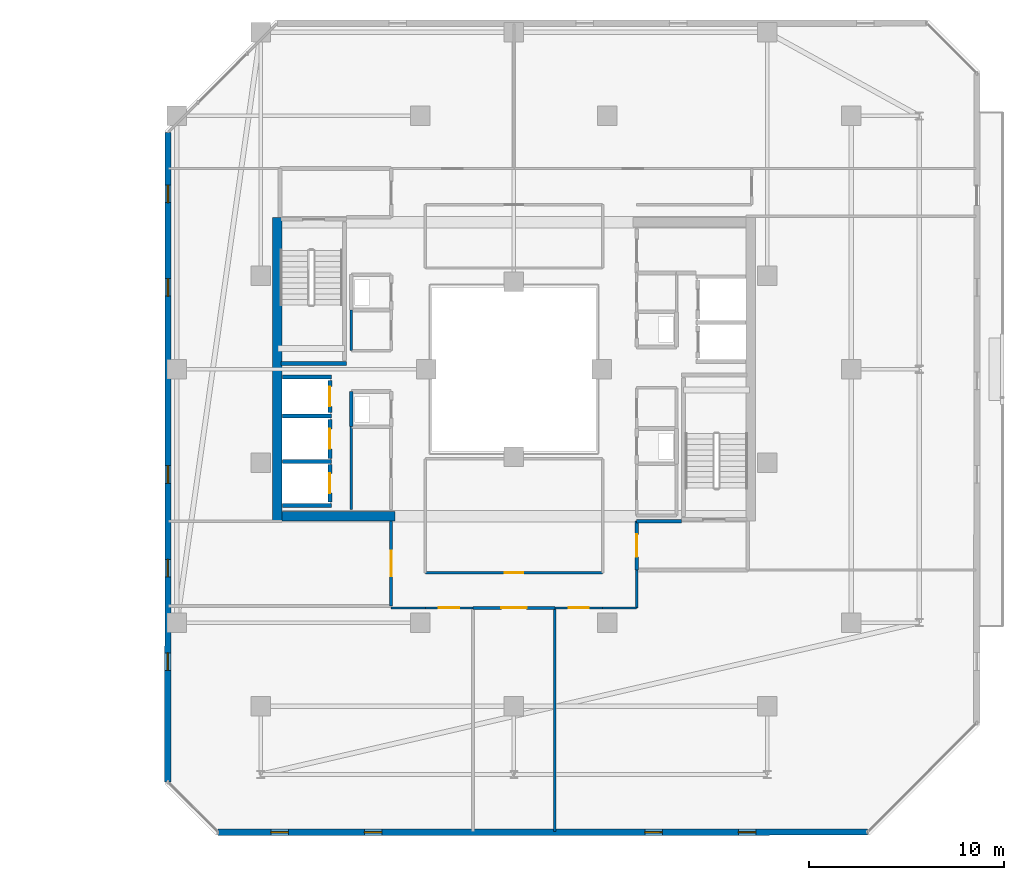
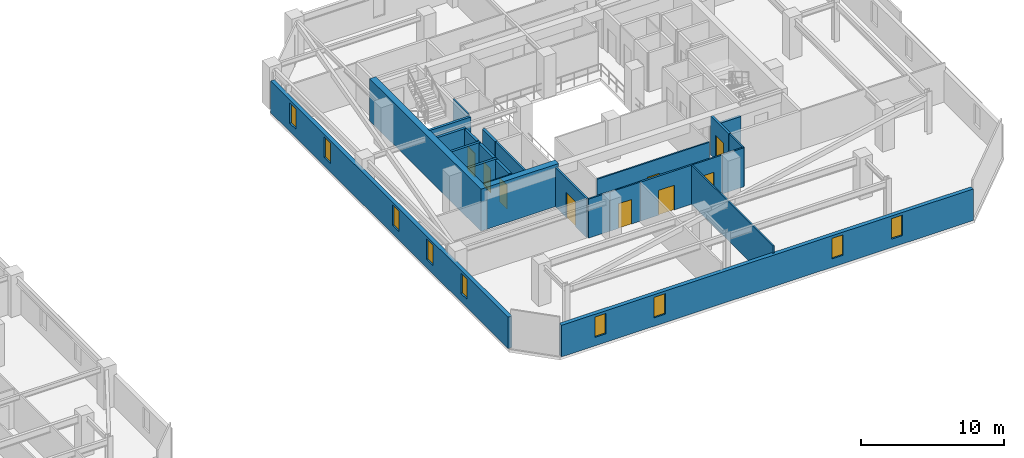
# One storey, part 22 of 31: 26 walls, 9 doors, 9 windows, 18 openings.
"""IFC4 building model written with IfcOpenShell, lengths in metres."""

import ifcopenshell
import ifcopenshell.guid

model = None  # the IFC model being written
_history = None  # IfcOwnerHistory: only IFC2X3 demands one
_inside = {}  # id of a spatial element -> (the spatial element, [elements in it])
_under = {}  # id of a project, library or spatial element -> (it, [spatial elements below it])
_declared = {}  # id of a project -> (the project, [libraries it declares])
_typed = {}  # id of a type object -> (the type object, [elements of that type])
_made_of = {}  # id of a material, layer set ... -> (it, [elements and type objects made of it])


def new_model(schema):
    """Start an empty IFC model of exactly this schema.

    Asked for "IFC4X3", IfcOpenShell would pick the latest addendum, in which some entities
    have other attributes; the version numbers below select the first issue.
    IFC2X3 requires an IfcOwnerHistory on every rooted entity: one is made here for all.
    """
    global model, _history
    if schema == "IFC4X3":
        model = ifcopenshell.file(schema_version=(4, 3, 0, 0))
    else:
        model = ifcopenshell.file(schema=schema)
    _inside.clear()
    _under.clear()
    _declared.clear()
    _typed.clear()
    _made_of.clear()
    _history = None
    if model.schema == "IFC2X3":
        org = make("IfcOrganization", Name="unknown")
        user = make(
            "IfcPersonAndOrganization",
            ThePerson=make("IfcPerson", FamilyName="unknown"),
            TheOrganization=org,
        )
        app = make(
            "IfcApplication",
            ApplicationDeveloper=org,
            Version="unknown",
            ApplicationFullName="unknown",
            ApplicationIdentifier="unknown",
        )
        _history = make(
            "IfcOwnerHistory",
            OwningUser=user,
            OwningApplication=app,
            ChangeAction="ADDED",
            CreationDate=0,
        )
    return model


def make(cls, **values):
    """One entity of the class cls with the attributes given. An attribute that is None is left unset."""
    return model.create_entity(
        cls, **{name: value for name, value in values.items() if value is not None}
    )


def rooted(cls, **values):
    """An entity with a GlobalId (a new one), such as an element, a storey or a relation."""
    return make(cls, GlobalId=ifcopenshell.guid.new(), OwnerHistory=_history, **values)


def si_unit(unit_type, name, prefix=None):
    """IfcSIUnit, for example si_unit("LENGTHUNIT", "METRE", prefix="MILLI")."""
    return make("IfcSIUnit", UnitType=unit_type, Prefix=prefix, Name=name)


def assignment(units):
    """IfcUnitAssignment: the units of a project."""
    return None if units is None else make("IfcUnitAssignment", Units=units)


def point(xyz):
    """IfcCartesianPoint."""
    return None if xyz is None else make("IfcCartesianPoint", Coordinates=xyz)


def direction(xyz):
    """IfcDirection."""
    return None if xyz is None else make("IfcDirection", DirectionRatios=xyz)


def frame(location, z_axis=None, x_axis=None):
    """IfcAxis2Placement3D, a coordinate frame: its origin and axes. An axis left out is left unset."""
    return make(
        "IfcAxis2Placement3D",
        Location=point(location),
        Axis=direction(z_axis),
        RefDirection=direction(x_axis),
    )


def frame_2d(location, x_axis=None):
    """IfcAxis2Placement2D, a coordinate frame in the plane: its origin and x axis."""
    return make(
        "IfcAxis2Placement2D", Location=point(location), RefDirection=direction(x_axis)
    )


def origin():
    """The frame at (0, 0, 0) with its axes left unset."""
    return frame((0.0, 0.0, 0.0))


def place(relative_to, where):
    """IfcLocalPlacement: puts the frame where relative to a parent placement (None: the world)."""
    return make(
        "IfcLocalPlacement", PlacementRelTo=relative_to, RelativePlacement=where
    )


def context(
    kind, dimensions, precision=None, world=None, true_north=None, identifier=None
):
    """IfcGeometricRepresentationContext, for example the 3D "Model" context."""
    return make(
        "IfcGeometricRepresentationContext",
        ContextIdentifier=identifier,
        ContextType=kind,
        CoordinateSpaceDimension=dimensions,
        Precision=precision,
        WorldCoordinateSystem=world,
        TrueNorth=true_north,
    )


def subcontext(parent, identifier, kind, view, scale=None):
    """IfcGeometricRepresentationSubContext, for example "Body" below "Model"."""
    return make(
        "IfcGeometricRepresentationSubContext",
        ContextIdentifier=identifier,
        ContextType=kind,
        ParentContext=parent,
        TargetScale=scale,
        TargetView=view,
    )


def project(units=None, contexts=None):
    """IfcProject with its units and contexts."""
    return rooted(
        "IfcProject",
        Name="project",
        RepresentationContexts=contexts,
        UnitsInContext=assignment(units),
    )


def spatial(cls, under=None, at=None, **own):
    """A site, building, storey or space (cls), placed at a placement, below another one or the project."""
    s = rooted(cls, ObjectPlacement=at, **own)
    if under is not None:
        _under.setdefault(under.id(), (under, []))[1].append(s)
    return s


def profile(cls, at=None, kind="AREA", **sizes):
    """A parametric profile (cls). Its sizes go by their IFC names, for example OverallWidth=200.0."""
    return make(cls, ProfileType=kind, Position=at, **sizes)


def rectangle(**sizes):
    """IfcRectangleProfileDef."""
    return profile("IfcRectangleProfileDef", **sizes)


def extrude(swept, where, along, depth):
    """IfcExtrudedAreaSolid: the profile swept, set in the frame where, extruded along a direction by depth."""
    return make(
        "IfcExtrudedAreaSolid",
        SweptArea=swept,
        Position=where,
        ExtrudedDirection=direction(along),
        Depth=depth,
    )


def shape(context_of_items, identifier, shape_type, items):
    """IfcShapeRepresentation: the items that make up one representation, for example the "Body"."""
    return make(
        "IfcShapeRepresentation",
        ContextOfItems=context_of_items,
        RepresentationIdentifier=identifier,
        RepresentationType=shape_type,
        Items=items,
    )


def material(Name=None, Category=None):
    """IfcMaterial."""
    return make("IfcMaterial", Name=Name, Category=Category)


def layer(
    of_material, thickness, ventilated=None, Name=None, Category=None, Priority=None
):
    """IfcMaterialLayer: one layer of a wall or slab, of a material (None: an air gap)."""
    return make(
        "IfcMaterialLayer",
        Material=of_material,
        LayerThickness=thickness,
        IsVentilated=ventilated,
        Name=Name,
        Category=Category,
        Priority=Priority,
    )


def layer_set(layers, Name=None):
    """IfcMaterialLayerSet."""
    return make("IfcMaterialLayerSet", MaterialLayers=layers, LayerSetName=Name)


def made_of(thing, what):
    """Note that an element or type object is made of a material, layer set ...; save() writes the relation."""
    if what is not None:
        _made_of.setdefault(what.id(), (what, []))[1].append(thing)
    return thing


def type_object(cls, material=None, **own):
    """A type object (cls), such as IfcWallType, which elements share."""
    return made_of(rooted(cls, **own), material)


def element(
    cls,
    number,
    at=None,
    inside=None,
    cuts=None,
    type_object=None,
    material=None,
    context=None,
    identifier="Body",
    shape_type=None,
    held_by="IfcProductDefinitionShape",
    body=None,
    shapes=None,
    **own,
):
    """One element of the class cls, such as IfcWall. Its Tag is "e" and its number.

    at: its placement. inside: the storey or other place that contains it. cuts: it is an
    opening in that element (IfcRelVoidsElement). A single representation is given by context,
    identifier, shape_type and body (its items); several are given by shapes. held_by: the class
    of the entity that holds the representations. save() writes the other relations.
    """
    e = rooted(cls, Tag="e%d" % number, ObjectPlacement=at, **own)
    if body is not None:
        shapes = [shape(context, identifier, shape_type, body)]
    if shapes is not None:
        e.Representation = make(held_by, Representations=shapes)
    if inside is not None:
        _inside.setdefault(inside.id(), (inside, []))[1].append(e)
    if cuts is not None:
        rooted(
            "IfcRelVoidsElement", RelatingBuildingElement=cuts, RelatedOpeningElement=e
        )
    if type_object is not None:
        _typed.setdefault(type_object.id(), (type_object, []))[1].append(e)
    return made_of(e, material)


def fill(opening, filler):
    """IfcRelFillsElement: the door or window that sits in an opening."""
    return rooted(
        "IfcRelFillsElement",
        RelatingOpeningElement=opening,
        RelatedBuildingElement=filler,
    )


def aggregate(whole, parts):
    """IfcRelAggregates: a whole, such as a stair, and the parts it consists of."""
    return rooted("IfcRelAggregates", RelatingObject=whole, RelatedObjects=parts)


def save(model, path):
    """Write the relations noted so far, then the file.

    IfcRelAggregates (storeys below a building ...), IfcRelContainedInSpatialStructure (elements
    in a storey), IfcRelDefinesByType, IfcRelAssociatesMaterial and IfcRelDeclares: one each for
    every whole, place, type object, material and project.
    """
    for whole, parts in _under.values():
        aggregate(whole, parts)
    for where, things in _inside.values():
        rooted(
            "IfcRelContainedInSpatialStructure",
            RelatedElements=things,
            RelatingStructure=where,
        )
    for kind, things in _typed.values():
        rooted("IfcRelDefinesByType", RelatedObjects=things, RelatingType=kind)
    for what, things in _made_of.values():
        rooted("IfcRelAssociatesMaterial", RelatedObjects=things, RelatingMaterial=what)
    for by, libraries in _declared.values():
        rooted("IfcRelDeclares", RelatingContext=by, RelatedDefinitions=libraries)
    model.write(path)


model = new_model("IFC4")

# Units and contexts
model_context = context("Model", 3, precision=1e-05, world=origin(), true_north=direction((0.0, 1.0)))
body_context = subcontext(model_context, "Body", "Model", "MODEL_VIEW")
ifc_project = project(units=[si_unit("LENGTHUNIT", "METRE"), si_unit("AREAUNIT", "SQUARE_METRE"), si_unit("VOLUMEUNIT", "CUBIC_METRE"), si_unit("PLANEANGLEUNIT", "RADIAN"), si_unit("MASSUNIT", "GRAM", prefix="KILO")], contexts=[model_context])

# Site, building, storey
site_placement = place(None, origin())
site = spatial("IfcSite", under=ifc_project, at=site_placement, CompositionType="ELEMENT")
building_placement = place(site_placement, origin())
building = spatial("IfcBuilding", under=site, at=building_placement, Name="Thornwick Lancets Civic Towers", CompositionType="ELEMENT")
storey_placement = place(building_placement, frame((0.0, 0.0, 236.699951171875)))
storey = spatial("IfcBuildingStorey", under=building, at=storey_placement, Name="L63", CompositionType="ELEMENT", Elevation=236.699951171875)

# Wall, opening, door
ifc_material_1 = material(Name="Concrete blockwork C40/50", Category="masonry")
ifc_layer_1 = layer(ifc_material_1, 0.199951171875, Name="Concrete blockwork C40/50")
ifc_layer_set_1 = layer_set([ifc_layer_1], Name="Concrete blockwork C40/50")
wall_type_1 = type_object("IfcWallType", Name="WALL_COMP_200", PredefinedType="STANDARD", material=ifc_layer_set_1)
wall_1_placement = place(storey_placement, frame((79.050048828125, 24.780029296875, 0.0), z_axis=(0.0, 0.0, 1.0), x_axis=(0.0, 1.0, 0.0)))
wall_1 = element("IfcWall", 1, at=wall_1_placement, inside=storey, type_object=wall_type_1, Name="L63 Hoistway Front Wall FL-B2", PredefinedType="STANDARD", context=body_context, shape_type="SweptSolid", body=[
    extrude(rectangle(XDim=1.639892578125, YDim=0.199951171875, at=frame_2d((0.81982421875, 0.0))), origin(), (0.0, 0.0, 1.0), 3.340087890625),
])
opening_1_placement = place(wall_1_placement, frame((0.31005859375, 0.0, 0.0)))
opening_1 = element("IfcOpeningElement", 2, at=opening_1_placement, cuts=wall_1, Name="Opening LD-FL-B2", PredefinedType="OPENING", context=body_context, shape_type="SweptSolid", body=[
    extrude(rectangle(XDim=1.02001953125, YDim=2.06005859375, at=frame_2d((0.510009765625, 1.030029296875))), frame((0.0, 0.10986328125, 0.0), z_axis=(0.0, -1.0, 0.0), x_axis=(1.0, 0.0, 0.0)), (0.0, 0.0, 1.0), 0.219970703125),
])
ifc_material_2 = material(Name="Brushed bronze stainless steel", Category="steel")
door_type_1 = type_object("IfcDoorType", Name="DOOR_LIFT_SLIDE", OperationType="SLIDING_TO_LEFT", PredefinedType="DOOR", material=ifc_material_2)
door_1_placement = place(opening_1_placement, origin())
door_1 = element("IfcDoor", 3, at=door_1_placement, inside=storey, type_object=door_type_1, Name="L63 Sliding Lift Landing Door LD-FL-B2", OperationType="SLIDING_TO_LEFT", OverallHeight=2.06005859375, OverallWidth=1.02001953125, PredefinedType="DOOR", context=body_context, shape_type="SweptSolid", body=[
    extrude(rectangle(XDim=1.02001953125, YDim=2.06005859375, at=frame_2d((0.510009765625, 1.030029296875))), frame((0.0, 0.02490234375, 0.0), z_axis=(0.0, -1.0, 0.0), x_axis=(1.0, 0.0, 0.0)), (0.0, 0.0, 1.0), 0.050048828125),
])
fill(opening_1, door_1)

wall_2_placement = place(storey_placement, frame((79.050048828125, 22.429931640625, 0.0), z_axis=(0.0, 0.0, 1.0), x_axis=(0.0, 1.0, 0.0)))
wall_2 = element("IfcWall", 4, at=wall_2_placement, inside=storey, type_object=wall_type_1, Name="L63 Hoistway Front Wall PL-BH2", PredefinedType="STANDARD", context=body_context, shape_type="SweptSolid", body=[
    extrude(rectangle(XDim=1.989990234375, YDim=0.199951171875, at=frame_2d((0.9951171875, 0.0))), origin(), (0.0, 0.0, 1.0), 3.340087890625),
])
opening_2_placement = place(wall_2_placement, frame((0.485107421875, 0.0, 0.0)))
opening_2 = element("IfcOpeningElement", 5, at=opening_2_placement, cuts=wall_2, Name="Opening LD-PL-BH2", PredefinedType="OPENING", context=body_context, shape_type="SweptSolid", body=[
    extrude(rectangle(XDim=1.02001953125, YDim=2.06005859375, at=frame_2d((0.510009765625, 1.030029296875))), frame((0.0, 0.10986328125, 0.0), z_axis=(0.0, -1.0, 0.0), x_axis=(1.0, 0.0, 0.0)), (0.0, 0.0, 1.0), 0.219970703125),
])
door_2_placement = place(opening_2_placement, origin())
door_2 = element("IfcDoor", 6, at=door_2_placement, inside=storey, type_object=door_type_1, Name="L63 Sliding Lift Landing Door LD-PL-BH2", OperationType="SLIDING_TO_LEFT", OverallHeight=2.06005859375, OverallWidth=1.02001953125, PredefinedType="DOOR", context=body_context, shape_type="SweptSolid", body=[
    extrude(rectangle(XDim=1.02001953125, YDim=2.06005859375, at=frame_2d((0.510009765625, 1.030029296875))), frame((0.0, 0.02490234375, 0.0), z_axis=(0.0, -1.0, 0.0), x_axis=(1.0, 0.0, 0.0)), (0.0, 0.0, 1.0), 0.050048828125),
])
fill(opening_2, door_2)

wall_3_placement = place(storey_placement, frame((79.050048828125, 20.179931640625, 0.0), z_axis=(0.0, 0.0, 1.0), x_axis=(0.0, 1.0, 0.0)))
wall_3 = element("IfcWall", 7, at=wall_3_placement, inside=storey, type_object=wall_type_1, Name="L63 Hoistway Front Wall PL-BH3", PredefinedType="STANDARD", context=body_context, shape_type="SweptSolid", body=[
    extrude(rectangle(XDim=1.940185546875, YDim=0.199951171875, at=frame_2d((0.97021484375, 0.0))), origin(), (0.0, 0.0, 1.0), 3.340087890625),
])
opening_3_placement = place(wall_3_placement, frame((0.4599609375, 0.0, 0.0)))
opening_3 = element("IfcOpeningElement", 8, at=opening_3_placement, cuts=wall_3, Name="Opening LD-PL-BH3", PredefinedType="OPENING", context=body_context, shape_type="SweptSolid", body=[
    extrude(rectangle(XDim=1.02001953125, YDim=2.06005859375, at=frame_2d((0.510009765625, 1.030029296875))), frame((0.0, 0.10986328125, 0.0), z_axis=(0.0, -1.0, 0.0), x_axis=(1.0, 0.0, 0.0)), (0.0, 0.0, 1.0), 0.219970703125),
])
door_3_placement = place(opening_3_placement, origin())
door_3 = element("IfcDoor", 9, at=door_3_placement, inside=storey, type_object=door_type_1, Name="L63 Sliding Lift Landing Door LD-PL-BH3", OperationType="SLIDING_TO_LEFT", OverallHeight=2.06005859375, OverallWidth=1.02001953125, PredefinedType="DOOR", context=body_context, shape_type="SweptSolid", body=[
    extrude(rectangle(XDim=1.02001953125, YDim=2.06005859375, at=frame_2d((0.510009765625, 1.030029296875))), frame((0.0, 0.02490234375, 0.0), z_axis=(0.0, -1.0, 0.0), x_axis=(1.0, 0.0, 0.0)), (0.0, 0.0, 1.0), 0.050048828125),
])
fill(opening_3, door_3)

# Walls
for number, where, z_axis, x_axis, name in (
    (10, (76.612060546875, 26.60009765625, 0.0), (0.0, 0.0, 1.0), (1.0, 0.0, 0.0), "L63 Hoistway Shaft Wall FL-B2 N"),
    (11, (76.612060546875, 24.60009765625, 0.0), (0.0, 0.0, 1.0), (1.0, 0.0, 0.0), "L63 Hoistway Shaft Wall FL-B2 S"),
    (12, (76.612060546875, 22.27490234375, 0.0), (0.0, 0.0, 1.0), (1.0, 0.0, 0.0), "L63 Hoistway Shaft Wall PL-BH2 S"),
    (13, (76.612060546875, 20.0, 0.0), (0.0, 0.0, 1.0), (1.0, 0.0, 0.0), "L63 Hoistway Shaft Wall PL-BH3 S"),
):
    element("IfcWall", number, at=place(storey_placement, frame(where, z_axis=z_axis, x_axis=x_axis)), inside=storey, type_object=wall_type_1, Name=name, PredefinedType="STANDARD", context=body_context, shape_type="SweptSolid", body=[
        extrude(rectangle(XDim=2.535888671875, YDim=0.199951171875, at=frame_2d((1.26806640625, 0.0))), origin(), (0.0, 0.0, 1.0), 3.340087890625),
    ])
wall_4_placement = place(storey_placement, frame((97.10009765625, 19.199951171875, 0.0), z_axis=(0.0, 0.0, 1.0), x_axis=(-1.0, 0.0, 0.0)))
element("IfcWall", 14, at=wall_4_placement, inside=storey, type_object=wall_type_1, Name="L63 Partition L63-B-FFLOB1 E3", PredefinedType="STANDARD", context=body_context, shape_type="SweptSolid", body=[
    extrude(rectangle(XDim=2.300048828125, YDim=0.199951171875, at=frame_2d((1.14990234375, 0.0))), origin(), (0.0, 0.0, 1.0), 2.545166015625),
])

# Wall, opening, door
wall_5_placement = place(storey_placement, frame((94.800048828125, 19.199951171875, 0.0), z_axis=(0.0, 0.0, 1.0), x_axis=(0.0, -1.0, 0.0)))
wall_5 = element("IfcWall", 15, at=wall_5_placement, inside=storey, type_object=wall_type_1, Name="L63 Partition L63-B-FFLOB1 E4", PredefinedType="STANDARD", context=body_context, shape_type="SweptSolid", body=[
    extrude(rectangle(XDim=2.5, YDim=0.199951171875, at=frame_2d((1.25, 0.0))), origin(), (0.0, 0.0, 1.0), 3.340087890625),
])
opening_4_placement = place(wall_5_placement, frame((0.675048828125, 0.0, 0.0)))
opening_4 = element("IfcOpeningElement", 16, at=opening_4_placement, cuts=wall_5, Name="Opening D-L63-2839", PredefinedType="OPENING", context=body_context, shape_type="SweptSolid", body=[
    extrude(rectangle(XDim=1.14990234375, YDim=2.10009765625, at=frame_2d((0.574951171875, 1.050048828125))), frame((0.0, 0.10986328125, 0.0), z_axis=(0.0, -1.0, 0.0), x_axis=(1.0, 0.0, 0.0)), (0.0, 0.0, 1.0), 0.219970703125),
])
ifc_material_3 = material(Name="Glazed fire-resisting steel", Category="steel")
door_type_2 = type_object("IfcDoorType", Name="DOOR_LOBBY_FD60", OperationType="NOTDEFINED", PredefinedType="DOOR", material=ifc_material_3)
door_4_placement = place(opening_4_placement, origin())
door_4 = element("IfcDoor", 17, at=door_4_placement, inside=storey, type_object=door_type_2, Name="L63 East Firefighting Lobby 1 Door", OperationType="SINGLE_SWING_RIGHT", OverallHeight=2.10009765625, OverallWidth=1.14990234375, PredefinedType="DOOR", context=body_context, shape_type="SweptSolid", body=[
    extrude(rectangle(XDim=1.14990234375, YDim=2.10009765625, at=frame_2d((0.574951171875, 1.050048828125))), frame((0.0, 0.02490234375, 0.0), z_axis=(0.0, -1.0, 0.0), x_axis=(1.0, 0.0, 0.0)), (0.0, 0.0, 1.0), 0.050048828125),
])
fill(opening_4, door_4)

# Walls
wall_6_placement = place(storey_placement, frame((80.14990234375, 25.85009765625, 0.0), z_axis=(0.0, 0.0, 1.0), x_axis=(0.0, -1.0, 0.0)))
element("IfcWall", 18, at=wall_6_placement, inside=storey, type_object=wall_type_1, Name="L63 Partition L63-B-DUCT2 E4", PredefinedType="STANDARD", context=body_context, shape_type="SweptSolid", body=[
    extrude(rectangle(XDim=1.800048828125, YDim=0.199951171875, at=frame_2d((0.89990234375, 0.0))), origin(), (0.0, 0.0, 1.0), 3.340087890625),
])
ifc_material_4 = material(Name="Concrete C50/60", Category="concrete")
ifc_layer_2 = layer(ifc_material_4, 0.5, Name="Concrete C50/60")
ifc_layer_set_2 = layer_set([ifc_layer_2], Name="Concrete C50/60")
wall_type_2 = type_object("IfcWallType", Name="WALL_CORE_500", PredefinedType="SHEAR", material=ifc_layer_set_2)
wall_7_placement = place(storey_placement, frame((76.35009765625, 19.199951171875, 0.0), z_axis=(0.0, 0.0, 1.0), x_axis=(0.0, 1.0, 0.0)))
element("IfcWall", 19, at=wall_7_placement, inside=storey, type_object=wall_type_2, Name="L63 Split Core B2 Shear Wall W", PredefinedType="SHEAR", context=body_context, shape_type="SweptSolid", body=[
    extrude(rectangle(XDim=15.60009765625, YDim=0.5, at=frame_2d((7.800048828125, 0.0))), origin(), (0.0, 0.0, 1.0), 3.60009765625),
])
wall_8_placement = place(storey_placement, frame((76.60009765625, 19.449951171875, 0.0), z_axis=(0.0, 0.0, 1.0), x_axis=(1.0, 0.0, 0.0)))
element("IfcWall", 20, at=wall_8_placement, inside=storey, type_object=wall_type_2, Name="L63 Split Core B2 Shear Wall S", PredefinedType="SHEAR", context=body_context, shape_type="SweptSolid", body=[
    extrude(rectangle(XDim=5.7998046875, YDim=0.5, at=frame_2d((2.89990234375, 0.0))), origin(), (0.0, 0.0, 1.0), 3.60009765625),
])

# Wall, openings, windows
ifc_material_5 = material(Name="Insulated buff terracotta rainscreen on concrete C40/50", Category="masonry")
ifc_layer_3 = layer(ifc_material_5, 0.320068359375, Name="Insulated buff terracotta rainscreen on concrete C40/50")
ifc_layer_set_3 = layer_set([ifc_layer_3], Name="Insulated buff terracotta rainscreen on concrete C40/50")
wall_type_3 = type_object("IfcWallType", Name="WALL_EXT_TERRA_320", PredefinedType="STANDARD", material=ifc_layer_set_3)
wall_9_placement = place(storey_placement, frame((73.318603515625, 3.2353515625, 0.0), z_axis=(0.0, 0.0, 1.0), x_axis=(0.999999954901, 0.000300328883, 0.0)))
wall_9 = element("IfcWall", 21, at=wall_9_placement, inside=storey, type_object=wall_type_3, Name="L63 Tower B Terracotta Facade Wall E0", PredefinedType="STANDARD", context=body_context, shape_type="SweptSolid", body=[
    extrude(rectangle(XDim=33.329345703125, YDim=0.320068359375, at=frame_2d((16.66455078125, 0.0))), origin(), (0.0, 0.0, 1.0), 2.699951171875),
])
opening_5_placement = place(wall_9_placement, frame((2.699951171875, 0.0, 0.719970703125)))
opening_5 = element("IfcOpeningElement", 22, at=opening_5_placement, cuts=wall_9, Name="Opening WL-01", PredefinedType="OPENING", context=body_context, shape_type="SweptSolid", body=[
    extrude(rectangle(XDim=0.89990234375, YDim=1.75, at=frame_2d((0.449951171875, 0.875))), frame((0.0, 0.169921875, 0.0), z_axis=(0.0, -1.0, 0.0), x_axis=(1.0, 0.0, 0.0)), (0.0, 0.0, 1.0), 0.340087890625),
])
opening_6_placement = place(wall_9_placement, frame((7.5, 0.0, 0.719970703125)))
opening_6 = element("IfcOpeningElement", 23, at=opening_6_placement, cuts=wall_9, Name="Opening WL-01", PredefinedType="OPENING", context=body_context, shape_type="SweptSolid", body=[
    extrude(rectangle(XDim=0.89990234375, YDim=1.75, at=frame_2d((0.449951171875, 0.875))), frame((0.0, 0.169921875, 0.0), z_axis=(0.0, -1.0, 0.0), x_axis=(1.0, 0.0, 0.0)), (0.0, 0.0, 1.0), 0.340087890625),
])
opening_7_placement = place(wall_9_placement, frame((21.89990234375, 0.0, 0.719970703125)))
opening_7 = element("IfcOpeningElement", 24, at=opening_7_placement, cuts=wall_9, Name="Opening WL-01", PredefinedType="OPENING", context=body_context, shape_type="SweptSolid", body=[
    extrude(rectangle(XDim=0.89990234375, YDim=1.75, at=frame_2d((0.449951171875, 0.875))), frame((0.0, 0.169921875, 0.0), z_axis=(0.0, -1.0, 0.0), x_axis=(1.0, 0.0, 0.0)), (0.0, 0.0, 1.0), 0.340087890625),
])
opening_8_placement = place(wall_9_placement, frame((26.699951171875, 0.0, 0.719970703125)))
opening_8 = element("IfcOpeningElement", 25, at=opening_8_placement, cuts=wall_9, Name="Opening WL-01", PredefinedType="OPENING", context=body_context, shape_type="SweptSolid", body=[
    extrude(rectangle(XDim=0.89990234375, YDim=1.75, at=frame_2d((0.449951171875, 0.875))), frame((0.0, 0.169921875, 0.0), z_axis=(0.0, -1.0, 0.0), x_axis=(1.0, 0.0, 0.0)), (0.0, 0.0, 1.0), 0.340087890625),
])
ifc_material_6 = material(Name="Clear low-e double glazing in bronze frame", Category="glass")
window_type = type_object("IfcWindowType", Name="WIN_LANCET_900", PartitioningType="SINGLE_PANEL", PredefinedType="WINDOW", material=ifc_material_6)
window_1_placement = place(opening_5_placement, origin())
window_1 = element("IfcWindow", 26, at=window_1_placement, inside=storey, type_object=window_type, Name="L63 Tower B Staggered Lancet Window E0-1", OverallHeight=1.75, OverallWidth=0.89990234375, PartitioningType="SINGLE_PANEL", PredefinedType="WINDOW", context=body_context, shape_type="SweptSolid", body=[
    extrude(rectangle(XDim=0.89990234375, YDim=1.75, at=frame_2d((0.449951171875, 0.875))), frame((0.0, 0.030029296875, 0.0), z_axis=(0.0, -1.0, 0.0), x_axis=(1.0, 0.0, 0.0)), (0.0, 0.0, 1.0), 0.06005859375),
])
fill(opening_5, window_1)
window_2_placement = place(opening_6_placement, origin())
window_2 = element("IfcWindow", 27, at=window_2_placement, inside=storey, type_object=window_type, Name="L63 Tower B Staggered Lancet Window E0-2", OverallHeight=1.75, OverallWidth=0.89990234375, PartitioningType="SINGLE_PANEL", PredefinedType="WINDOW", context=body_context, shape_type="SweptSolid", body=[
    extrude(rectangle(XDim=0.89990234375, YDim=1.75, at=frame_2d((0.449951171875, 0.875))), frame((0.0, 0.030029296875, 0.0), z_axis=(0.0, -1.0, 0.0), x_axis=(1.0, 0.0, 0.0)), (0.0, 0.0, 1.0), 0.06005859375),
])
fill(opening_6, window_2)
window_3_placement = place(opening_7_placement, origin())
window_3 = element("IfcWindow", 28, at=window_3_placement, inside=storey, type_object=window_type, Name="L63 Tower B Staggered Lancet Window E0-3", OverallHeight=1.75, OverallWidth=0.89990234375, PartitioningType="SINGLE_PANEL", PredefinedType="WINDOW", context=body_context, shape_type="SweptSolid", body=[
    extrude(rectangle(XDim=0.89990234375, YDim=1.75, at=frame_2d((0.449951171875, 0.875))), frame((0.0, 0.030029296875, 0.0), z_axis=(0.0, -1.0, 0.0), x_axis=(1.0, 0.0, 0.0)), (0.0, 0.0, 1.0), 0.06005859375),
])
fill(opening_7, window_3)
window_4_placement = place(opening_8_placement, origin())
window_4 = element("IfcWindow", 29, at=window_4_placement, inside=storey, type_object=window_type, Name="L63 Tower B Staggered Lancet Window E0-4", OverallHeight=1.75, OverallWidth=0.89990234375, PartitioningType="SINGLE_PANEL", PredefinedType="WINDOW", context=body_context, shape_type="SweptSolid", body=[
    extrude(rectangle(XDim=0.89990234375, YDim=1.75, at=frame_2d((0.449951171875, 0.875))), frame((0.0, 0.030029296875, 0.0), z_axis=(0.0, -1.0, 0.0), x_axis=(1.0, 0.0, 0.0)), (0.0, 0.0, 1.0), 0.06005859375),
])
fill(opening_8, window_4)

wall_10_placement = place(storey_placement, frame((70.745361328125, 39.14794921875, 0.0), z_axis=(0.0, 0.0, 1.0), x_axis=(-0.000300328883, -0.999999954901, 0.0)))
wall_10 = element("IfcWall", 30, at=wall_10_placement, inside=storey, type_object=wall_type_3, Name="L63 Tower B Terracotta Facade Wall E6", PredefinedType="STANDARD", context=body_context, shape_type="SweptSolid", body=[
    extrude(rectangle(XDim=33.329345703125, YDim=0.320068359375, at=frame_2d((16.66455078125, 0.0))), origin(), (0.0, 0.0, 1.0), 2.699951171875),
])
opening_9_placement = place(wall_10_placement, frame((2.699951171875, 0.0, 0.719970703125)))
opening_9 = element("IfcOpeningElement", 31, at=opening_9_placement, cuts=wall_10, Name="Opening WL-01", PredefinedType="OPENING", context=body_context, shape_type="SweptSolid", body=[
    extrude(rectangle(XDim=0.89990234375, YDim=1.75, at=frame_2d((0.449951171875, 0.875))), frame((0.0, 0.169921875, 0.0), z_axis=(0.0, -1.0, 0.0), x_axis=(1.0, 0.0, 0.0)), (0.0, 0.0, 1.0), 0.340087890625),
])
opening_10_placement = place(wall_10_placement, frame((7.5, 0.0, 0.719970703125)))
opening_10 = element("IfcOpeningElement", 32, at=opening_10_placement, cuts=wall_10, Name="Opening WL-01", PredefinedType="OPENING", context=body_context, shape_type="SweptSolid", body=[
    extrude(rectangle(XDim=0.89990234375, YDim=1.75, at=frame_2d((0.449951171875, 0.875))), frame((0.0, 0.169921875, 0.0), z_axis=(0.0, -1.0, 0.0), x_axis=(1.0, 0.0, 0.0)), (0.0, 0.0, 1.0), 0.340087890625),
])
opening_11_placement = place(wall_10_placement, frame((17.10009765625, 0.0, 0.719970703125)))
opening_11 = element("IfcOpeningElement", 33, at=opening_11_placement, cuts=wall_10, Name="Opening WL-01", PredefinedType="OPENING", context=body_context, shape_type="SweptSolid", body=[
    extrude(rectangle(XDim=0.89990234375, YDim=1.75, at=frame_2d((0.449951171875, 0.875))), frame((0.0, 0.169921875, 0.0), z_axis=(0.0, -1.0, 0.0), x_axis=(1.0, 0.0, 0.0)), (0.0, 0.0, 1.0), 0.340087890625),
])
opening_12_placement = place(wall_10_placement, frame((21.89990234375, 0.0, 0.719970703125)))
opening_12 = element("IfcOpeningElement", 34, at=opening_12_placement, cuts=wall_10, Name="Opening WL-01", PredefinedType="OPENING", context=body_context, shape_type="SweptSolid", body=[
    extrude(rectangle(XDim=0.89990234375, YDim=1.75, at=frame_2d((0.449951171875, 0.875))), frame((0.0, 0.169921875, 0.0), z_axis=(0.0, -1.0, 0.0), x_axis=(1.0, 0.0, 0.0)), (0.0, 0.0, 1.0), 0.340087890625),
])
opening_13_placement = place(wall_10_placement, frame((26.699951171875, 0.0, 0.719970703125)))
opening_13 = element("IfcOpeningElement", 35, at=opening_13_placement, cuts=wall_10, Name="Opening WL-01", PredefinedType="OPENING", context=body_context, shape_type="SweptSolid", body=[
    extrude(rectangle(XDim=0.89990234375, YDim=1.75, at=frame_2d((0.449951171875, 0.875))), frame((0.0, 0.169921875, 0.0), z_axis=(0.0, -1.0, 0.0), x_axis=(1.0, 0.0, 0.0)), (0.0, 0.0, 1.0), 0.340087890625),
])
window_5_placement = place(opening_9_placement, origin())
window_5 = element("IfcWindow", 36, at=window_5_placement, inside=storey, type_object=window_type, Name="L63 Tower B Staggered Lancet Window E6-1", OverallHeight=1.75, OverallWidth=0.89990234375, PartitioningType="SINGLE_PANEL", PredefinedType="WINDOW", context=body_context, shape_type="SweptSolid", body=[
    extrude(rectangle(XDim=0.89990234375, YDim=1.75, at=frame_2d((0.449951171875, 0.875))), frame((0.0, 0.030029296875, 0.0), z_axis=(0.0, -1.0, 0.0), x_axis=(1.0, 0.0, 0.0)), (0.0, 0.0, 1.0), 0.06005859375),
])
fill(opening_9, window_5)
window_6_placement = place(opening_10_placement, origin())
window_6 = element("IfcWindow", 37, at=window_6_placement, inside=storey, type_object=window_type, Name="L63 Tower B Staggered Lancet Window E6-2", OverallHeight=1.75, OverallWidth=0.89990234375, PartitioningType="SINGLE_PANEL", PredefinedType="WINDOW", context=body_context, shape_type="SweptSolid", body=[
    extrude(rectangle(XDim=0.89990234375, YDim=1.75, at=frame_2d((0.449951171875, 0.875))), frame((0.0, 0.030029296875, 0.0), z_axis=(0.0, -1.0, 0.0), x_axis=(1.0, 0.0, 0.0)), (0.0, 0.0, 1.0), 0.06005859375),
])
fill(opening_10, window_6)
window_7_placement = place(opening_11_placement, origin())
window_7 = element("IfcWindow", 38, at=window_7_placement, inside=storey, type_object=window_type, Name="L63 Tower B Staggered Lancet Window E6-3", OverallHeight=1.75, OverallWidth=0.89990234375, PartitioningType="SINGLE_PANEL", PredefinedType="WINDOW", context=body_context, shape_type="SweptSolid", body=[
    extrude(rectangle(XDim=0.89990234375, YDim=1.75, at=frame_2d((0.449951171875, 0.875))), frame((0.0, 0.030029296875, 0.0), z_axis=(0.0, -1.0, 0.0), x_axis=(1.0, 0.0, 0.0)), (0.0, 0.0, 1.0), 0.06005859375),
])
fill(opening_11, window_7)
window_8_placement = place(opening_12_placement, origin())
window_8 = element("IfcWindow", 39, at=window_8_placement, inside=storey, type_object=window_type, Name="L63 Tower B Staggered Lancet Window E6-4", OverallHeight=1.75, OverallWidth=0.89990234375, PartitioningType="SINGLE_PANEL", PredefinedType="WINDOW", context=body_context, shape_type="SweptSolid", body=[
    extrude(rectangle(XDim=0.89990234375, YDim=1.75, at=frame_2d((0.449951171875, 0.875))), frame((0.0, 0.030029296875, 0.0), z_axis=(0.0, -1.0, 0.0), x_axis=(1.0, 0.0, 0.0)), (0.0, 0.0, 1.0), 0.06005859375),
])
fill(opening_12, window_8)
window_9_placement = place(opening_13_placement, origin())
window_9 = element("IfcWindow", 40, at=window_9_placement, inside=storey, type_object=window_type, Name="L63 Tower B Staggered Lancet Window E6-5", OverallHeight=1.75, OverallWidth=0.89990234375, PartitioningType="SINGLE_PANEL", PredefinedType="WINDOW", context=body_context, shape_type="SweptSolid", body=[
    extrude(rectangle(XDim=0.89990234375, YDim=1.75, at=frame_2d((0.449951171875, 0.875))), frame((0.0, 0.030029296875, 0.0), z_axis=(0.0, -1.0, 0.0), x_axis=(1.0, 0.0, 0.0)), (0.0, 0.0, 1.0), 0.06005859375),
])
fill(opening_13, window_9)

# Walls
ifc_material_7 = material(Name="Acoustic gypsum board partition")
ifc_layer_4 = layer(ifc_material_7, 0.1201171875, Name="Acoustic gypsum board partition")
ifc_layer_set_4 = layer_set([ifc_layer_4], Name="Acoustic gypsum board partition")
wall_type_4 = type_object("IfcWallType", Name="WALL_PART_120", PredefinedType="PARTITIONING", material=ifc_layer_set_4)
wall_11_placement = place(storey_placement, frame((80.14990234375, 27.949951171875, 0.0), z_axis=(0.0, 0.0, 1.0), x_axis=(0.0, 1.0, 0.0)))
element("IfcWall", 41, at=wall_11_placement, inside=storey, type_object=wall_type_4, Name="L63 Partition L63-B-ITR E2", PredefinedType="PARTITIONING", context=body_context, shape_type="SweptSolid", body=[
    extrude(rectangle(XDim=2.10009765625, YDim=0.1201171875, at=frame_2d((1.050048828125, 0.0))), origin(), (0.0, 0.0, 1.0), 3.340087890625),
])
wall_12_placement = place(storey_placement, frame((90.60009765625, 3.280029296875, 0.0), z_axis=(0.0, 0.0, 1.0), x_axis=(0.0, 1.0, 0.0)))
element("IfcWall", 42, at=wall_12_placement, inside=storey, type_object=wall_type_4, Name="L63 Partition L63-B-W1 E2", PredefinedType="PARTITIONING", context=body_context, shape_type="SweptSolid", body=[
    extrude(rectangle(XDim=11.469970703125, YDim=0.1201171875, at=frame_2d((5.73486328125, 0.0))), origin(), (0.0, 0.0, 1.0), 3.340087890625),
])

# Wall, opening, door
wall_13_placement = place(storey_placement, frame((90.60009765625, 14.75, 0.0), z_axis=(0.0, 0.0, 1.0), x_axis=(1.0, 0.0, 0.0)))
wall_13 = element("IfcWall", 43, at=wall_13_placement, inside=storey, type_object=wall_type_4, Name="L63 Partition L63-B-W1 E3", PredefinedType="PARTITIONING", context=body_context, shape_type="SweptSolid", body=[
    extrude(rectangle(XDim=2.449951171875, YDim=0.1201171875, at=frame_2d((1.22509765625, 0.0))), origin(), (0.0, 0.0, 1.0), 3.340087890625),
])
opening_14_placement = place(wall_13_placement, frame((0.699951171875, 0.0, 0.0)))
opening_14 = element("IfcOpeningElement", 44, at=opening_14_placement, cuts=wall_13, Name="Opening D-L63-2862", PredefinedType="OPENING", context=body_context, shape_type="SweptSolid", body=[
    extrude(rectangle(XDim=1.050048828125, YDim=2.10009765625, at=frame_2d((0.52490234375, 1.050048828125))), frame((0.0, 0.070068359375, 0.0), z_axis=(0.0, -1.0, 0.0), x_axis=(1.0, 0.0, 0.0)), (0.0, 0.0, 1.0), 0.14013671875),
])
ifc_material_8 = material(Name="Glazed European oak executive doorset")
door_type_3 = type_object("IfcDoorType", Name="DOOR_OFFICE_1050", OperationType="NOTDEFINED", PredefinedType="DOOR", material=ifc_material_8)
door_5_placement = place(opening_14_placement, origin())
door_5 = element("IfcDoor", 45, at=door_5_placement, inside=storey, type_object=door_type_3, Name="L63 Tower B Ministry Directorate Office W1 Door", OperationType="SINGLE_SWING_LEFT", OverallHeight=2.10009765625, OverallWidth=1.050048828125, PredefinedType="DOOR", context=body_context, shape_type="SweptSolid", body=[
    extrude(rectangle(XDim=1.050048828125, YDim=2.10009765625, at=frame_2d((0.52490234375, 1.050048828125))), frame((0.0, 0.02490234375, 0.0), z_axis=(0.0, -1.0, 0.0), x_axis=(1.0, 0.0, 0.0)), (0.0, 0.0, 1.0), 0.050048828125),
])
fill(opening_14, door_5)

# Walls
wall_14_placement = place(storey_placement, frame((93.050048828125, 14.75, 0.0), z_axis=(0.0, 0.0, 1.0), x_axis=(1.0, 0.0, 0.0)))
element("IfcWall", 46, at=wall_14_placement, inside=storey, type_object=wall_type_4, Name="L63 Partition L63-B-W1 E4", PredefinedType="PARTITIONING", context=body_context, shape_type="SweptSolid", body=[
    extrude(rectangle(XDim=1.75, YDim=0.1201171875, at=frame_2d((0.875, 0.0))), origin(), (0.0, 0.0, 1.0), 3.340087890625),
])
wall_15_placement = place(storey_placement, frame((94.800048828125, 14.75, 0.0), z_axis=(0.0, 0.0, 1.0), x_axis=(0.0, 1.0, 0.0)))
element("IfcWall", 47, at=wall_15_placement, inside=storey, type_object=wall_type_4, Name="L63 Partition L63-B-W1 E5", PredefinedType="PARTITIONING", context=body_context, shape_type="SweptSolid", body=[
    extrude(rectangle(XDim=1.949951171875, YDim=0.1201171875, at=frame_2d((0.97509765625, 0.0))), origin(), (0.0, 0.0, 1.0), 3.340087890625),
])
wall_16_placement = place(storey_placement, frame((82.199951171875, 14.75, 0.0), z_axis=(0.0, 0.0, 1.0), x_axis=(1.0, 0.0, 0.0)))
element("IfcWall", 48, at=wall_16_placement, inside=storey, type_object=wall_type_4, Name="L63 Partition L63-B-W2B E5", PredefinedType="PARTITIONING", context=body_context, shape_type="SweptSolid", body=[
    extrude(rectangle(XDim=1.75, YDim=0.1201171875, at=frame_2d((0.875, 0.0))), origin(), (0.0, 0.0, 1.0), 3.340087890625),
])

# Wall, opening, door
wall_17_placement = place(storey_placement, frame((83.949951171875, 14.75, 0.0), z_axis=(0.0, 0.0, 1.0), x_axis=(1.0, 0.0, 0.0)))
wall_17 = element("IfcWall", 49, at=wall_17_placement, inside=storey, type_object=wall_type_4, Name="L63 Partition L63-B-W2B E6", PredefinedType="PARTITIONING", context=body_context, shape_type="SweptSolid", body=[
    extrude(rectangle(XDim=2.449951171875, YDim=0.1201171875, at=frame_2d((1.22509765625, 0.0))), origin(), (0.0, 0.0, 1.0), 3.340087890625),
])
opening_15_placement = place(wall_17_placement, frame((0.699951171875, 0.0, 0.0)))
opening_15 = element("IfcOpeningElement", 50, at=opening_15_placement, cuts=wall_17, Name="Opening D-L63-2864", PredefinedType="OPENING", context=body_context, shape_type="SweptSolid", body=[
    extrude(rectangle(XDim=1.050048828125, YDim=2.10009765625, at=frame_2d((0.52490234375, 1.050048828125))), frame((0.0, 0.070068359375, 0.0), z_axis=(0.0, -1.0, 0.0), x_axis=(1.0, 0.0, 0.0)), (0.0, 0.0, 1.0), 0.14013671875),
])
door_6_placement = place(opening_15_placement, origin())
door_6 = element("IfcDoor", 51, at=door_6_placement, inside=storey, type_object=door_type_3, Name="L63 Tower B Parliamentary Casework Suite W2B Door", OperationType="SINGLE_SWING_LEFT", OverallHeight=2.10009765625, OverallWidth=1.050048828125, PredefinedType="DOOR", context=body_context, shape_type="SweptSolid", body=[
    extrude(rectangle(XDim=1.050048828125, YDim=2.10009765625, at=frame_2d((0.52490234375, 1.050048828125))), frame((0.0, 0.02490234375, 0.0), z_axis=(0.0, -1.0, 0.0), x_axis=(1.0, 0.0, 0.0)), (0.0, 0.0, 1.0), 0.050048828125),
])
fill(opening_15, door_6)

wall_18_placement = place(storey_placement, frame((93.050048828125, 16.550048828125, 0.0), z_axis=(0.0, 0.0, 1.0), x_axis=(-1.0, 0.0, 0.0)))
wall_18 = element("IfcWall", 52, at=wall_18_placement, inside=storey, type_object=wall_type_4, Name="L63 Partition L63-B-W3 E4", PredefinedType="PARTITIONING", context=body_context, shape_type="SweptSolid", body=[
    extrude(rectangle(XDim=9.10009765625, YDim=0.1201171875, at=frame_2d((4.550048828125, 0.0))), origin(), (0.0, 0.0, 1.0), 3.340087890625),
])
opening_16_placement = place(wall_18_placement, frame((4.074951171875, 0.0, 0.0)))
opening_16 = element("IfcOpeningElement", 53, at=opening_16_placement, cuts=wall_18, Name="Opening D-L63-2865", PredefinedType="OPENING", context=body_context, shape_type="SweptSolid", body=[
    extrude(rectangle(XDim=0.949951171875, YDim=2.10009765625, at=frame_2d((0.47509765625, 1.050048828125))), frame((0.0, 0.070068359375, 0.0), z_axis=(0.0, -1.0, 0.0), x_axis=(1.0, 0.0, 0.0)), (0.0, 0.0, 1.0), 0.14013671875),
])
ifc_material_9 = material(Name="European oak acoustic doorset")
door_type_4 = type_object("IfcDoorType", Name="DOOR_OFFICE_950", OperationType="NOTDEFINED", PredefinedType="DOOR", material=ifc_material_9)
door_7_placement = place(opening_16_placement, origin())
door_7 = element("IfcDoor", 54, at=door_7_placement, inside=storey, type_object=door_type_4, Name="L63 Tower B West Atrium Gallery Suite Door", OperationType="SINGLE_SWING_RIGHT", OverallHeight=2.10009765625, OverallWidth=0.949951171875, PredefinedType="DOOR", context=body_context, shape_type="SweptSolid", body=[
    extrude(rectangle(XDim=0.949951171875, YDim=2.10009765625, at=frame_2d((0.47509765625, 1.050048828125))), frame((0.0, 0.02490234375, 0.0), z_axis=(0.0, -1.0, 0.0), x_axis=(1.0, 0.0, 0.0)), (0.0, 0.0, 1.0), 0.050048828125),
])
fill(opening_16, door_7)

# Wall
ifc_material_10 = material(Name="Twin-stud acoustic gypsum board")
ifc_layer_5 = layer(ifc_material_10, 0.14990234375, Name="Twin-stud acoustic gypsum board")
ifc_layer_set_5 = layer_set([ifc_layer_5], Name="Twin-stud acoustic gypsum board")
wall_type_5 = type_object("IfcWallType", Name="WALL_PART_150", PredefinedType="PARTITIONING", material=ifc_layer_set_5)
wall_19_placement = place(storey_placement, frame((80.14990234375, 19.800048828125, 0.0), z_axis=(0.0, 0.0, 1.0), x_axis=(0.0, 1.0, 0.0)))
element("IfcWall", 55, at=wall_19_placement, inside=storey, type_object=wall_type_5, Name="L63 Partition L63-B-FWC E2", PredefinedType="PARTITIONING", context=body_context, shape_type="SweptSolid", body=[
    extrude(rectangle(XDim=4.25, YDim=0.14990234375, at=frame_2d((2.125, 0.0))), origin(), (0.0, 0.0, 1.0), 3.340087890625),
])

# Wall, opening, door
wall_20_placement = place(storey_placement, frame((82.199951171875, 19.199951171875, 0.0), z_axis=(0.0, 0.0, 1.0), x_axis=(0.0, -1.0, 0.0)))
wall_20 = element("IfcWall", 56, at=wall_20_placement, inside=storey, type_object=wall_type_5, Name="L63 Partition L63-B-RECLAIM-M1 E4", PredefinedType="PARTITIONING", context=body_context, shape_type="SweptSolid", body=[
    extrude(rectangle(XDim=4.349853515625, YDim=0.14990234375, at=frame_2d((2.1748046875, 0.0))), origin(), (0.0, 0.0, 1.0), 3.340087890625),
])
opening_17_placement = place(wall_20_placement, frame((1.52490234375, 0.0, 0.0)))
opening_17 = element("IfcOpeningElement", 57, at=opening_17_placement, cuts=wall_20, Name="Opening D-L63-2861", PredefinedType="OPENING", context=body_context, shape_type="SweptSolid", body=[
    extrude(rectangle(XDim=1.300048828125, YDim=2.1201171875, at=frame_2d((0.64990234375, 1.06005859375))), frame((0.0, 0.0849609375, 0.0), z_axis=(0.0, -1.0, 0.0), x_axis=(1.0, 0.0, 0.0)), (0.0, 0.0, 1.0), 0.169921875),
])
ifc_material_11 = material(Name="Acoustic oak leaf-and-a-half doorset")
door_type_5 = type_object("IfcDoorType", Name="DOOR_MEET_1300", OperationType="DOUBLE_DOOR_SINGLE_SWING", PredefinedType="DOOR", material=ifc_material_11)
door_8_placement = place(opening_17_placement, origin())
door_8 = element("IfcDoor", 58, at=door_8_placement, inside=storey, type_object=door_type_5, Name="L63 Tower B Diplomatic Conference Suite Door", OperationType="DOUBLE_DOOR_SINGLE_SWING", OverallHeight=2.1201171875, OverallWidth=1.300048828125, PredefinedType="DOOR", context=body_context, shape_type="SweptSolid", body=[
    extrude(rectangle(XDim=1.300048828125, YDim=2.1201171875, at=frame_2d((0.64990234375, 1.06005859375))), frame((0.0, 0.02490234375, 0.0), z_axis=(0.0, -1.0, 0.0), x_axis=(1.0, 0.0, 0.0)), (0.0, 0.0, 1.0), 0.050048828125),
])
fill(opening_17, door_8)

wall_21_placement = place(storey_placement, frame((86.39990234375, 14.75, 0.0), z_axis=(0.0, 0.0, 1.0), x_axis=(1.0, 0.0, 0.0)))
wall_21 = element("IfcWall", 59, at=wall_21_placement, inside=storey, type_object=wall_type_5, Name="L63 Partition L63-B-W2 E4", PredefinedType="PARTITIONING", context=body_context, shape_type="SweptSolid", body=[
    extrude(rectangle(XDim=4.2001953125, YDim=0.14990234375, at=frame_2d((2.10009765625, 0.0))), origin(), (0.0, 0.0, 1.0), 3.340087890625),
])
opening_18_placement = place(wall_21_placement, frame((1.449951171875, 0.0, 0.0)))
opening_18 = element("IfcOpeningElement", 60, at=opening_18_placement, cuts=wall_21, Name="Opening D-L63-2863", PredefinedType="OPENING", context=body_context, shape_type="SweptSolid", body=[
    extrude(rectangle(XDim=1.300048828125, YDim=2.1201171875, at=frame_2d((0.64990234375, 1.06005859375))), frame((0.0, 0.0849609375, 0.0), z_axis=(0.0, -1.0, 0.0), x_axis=(1.0, 0.0, 0.0)), (0.0, 0.0, 1.0), 0.169921875),
])
door_9_placement = place(opening_18_placement, origin())
door_9 = element("IfcDoor", 61, at=door_9_placement, inside=storey, type_object=door_type_5, Name="L63 Tower B Policy Briefing Room W2 Door", OperationType="DOUBLE_DOOR_SINGLE_SWING", OverallHeight=2.1201171875, OverallWidth=1.300048828125, PredefinedType="DOOR", context=body_context, shape_type="SweptSolid", body=[
    extrude(rectangle(XDim=1.300048828125, YDim=2.1201171875, at=frame_2d((0.64990234375, 1.06005859375))), frame((0.0, 0.02490234375, 0.0), z_axis=(0.0, -1.0, 0.0), x_axis=(1.0, 0.0, 0.0)), (0.0, 0.0, 1.0), 0.050048828125),
])
fill(opening_18, door_9)

# Wall
ifc_material_12 = material(Name="Concrete C40/50", Category="concrete")
ifc_layer_6 = layer(ifc_material_12, 0.199951171875, Name="Concrete C40/50")
ifc_layer_set_6 = layer_set([ifc_layer_6], Name="Concrete C40/50")
wall_type_6 = type_object("IfcWallType", Name="WALL_SHAFT_200", PredefinedType="SHEAR", material=ifc_layer_set_6)
wall_22_placement = place(storey_placement, frame((79.89990234375, 27.300048828125, 0.0), z_axis=(0.0, 0.0, 1.0), x_axis=(-1.0, 0.0, 0.0)))
element("IfcWall", 62, at=wall_22_placement, inside=storey, type_object=wall_type_6, Name="L63 ST-B2 Fire Stair Core Wall FAR", PredefinedType="SHEAR", context=body_context, shape_type="SweptSolid", body=[
    extrude(rectangle(XDim=3.349853515625, YDim=0.199951171875, at=frame_2d((1.6748046875, 0.0))), origin(), (0.0, 0.0, 1.0), 3.60009765625),
])

save(model, "model.ifc")
